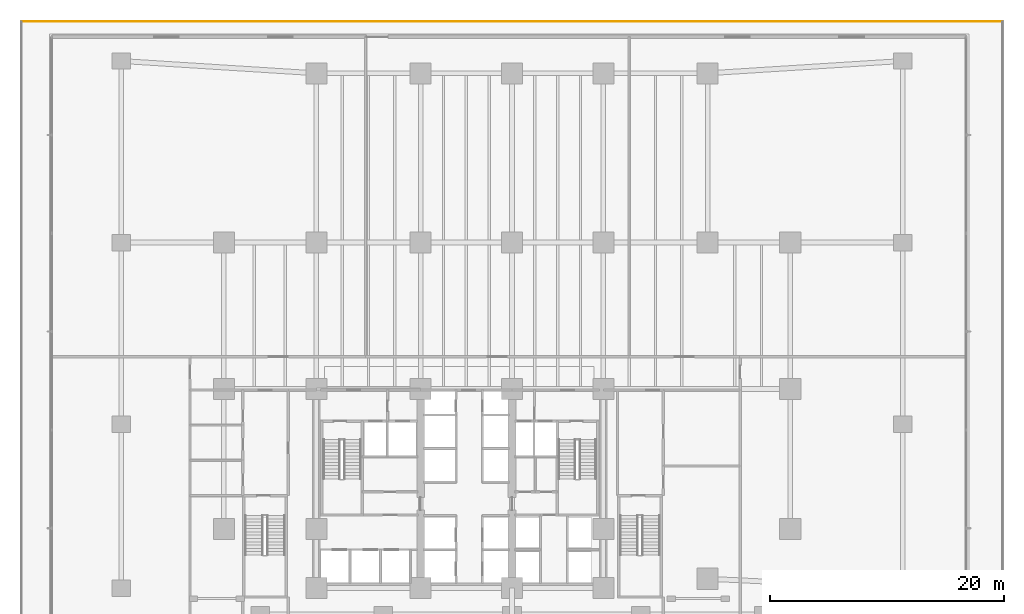
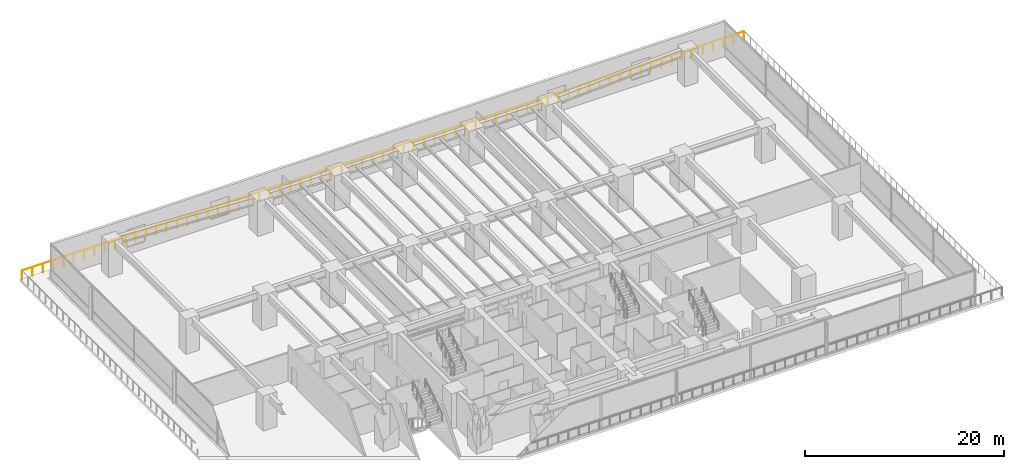
# One storey, part 24 of 27: 1 railing.
"""IFC4 building model written with IfcOpenShell, lengths in metres."""

from ifc_helpers import new_model, si_unit, direction, frame, origin, origin_2d, place, context, subcontext, project, spatial, circle, extrude, material, type_object, element, save


model = new_model("IFC4")

# Units and contexts
model_context = context("Model", 3, precision=1e-05, world=origin(), true_north=direction((0.0, 1.0)))
body_context = subcontext(model_context, "Body", "Model", "MODEL_VIEW")
ifc_project = project(units=[si_unit("LENGTHUNIT", "METRE"), si_unit("AREAUNIT", "SQUARE_METRE"), si_unit("VOLUMEUNIT", "CUBIC_METRE"), si_unit("PLANEANGLEUNIT", "RADIAN"), si_unit("MASSUNIT", "GRAM", prefix="KILO")], contexts=[model_context])

# Site, building, storey
site_placement = place(None, origin())
site = spatial("IfcSite", under=ifc_project, at=site_placement, CompositionType="ELEMENT")
building_placement = place(site_placement, origin())
building = spatial("IfcBuilding", under=site, at=building_placement, Name="Qalmaran Belvedere Hotel", CompositionType="ELEMENT")
storey_placement = place(building_placement, frame((0.0, 0.0, 5.39990234375)))
storey = spatial("IfcBuildingStorey", under=building, at=storey_placement, Name="L01", CompositionType="ELEMENT", Elevation=5.39990234375)

# Railing
ifc_material = material(Name="Anodised Bronze Aluminium", Category="aluminium")
railing_type = type_object("IfcRailingType", Name="GRD-TERR-1150", PredefinedType="BALUSTRADE", material=ifc_material)
railing_placement = place(storey_placement, frame((78.824951171875, 51.860107421875, 0.0)))
element("IfcRailing", 1, at=railing_placement, inside=storey, type_object=railing_type, Name="L01 Guardrail L01-TERR-3", PredefinedType="BALUSTRADE", context=body_context, shape_type="SweptSolid", body=[
    extrude(circle(Radius=0.02392578125, at=origin_2d()), frame((0.0, 0.0, 1.1259765625), z_axis=(-1.0, 0.0, 0.0), x_axis=(0.0, -1.0, 0.0)), (0.0, 0.0, 1.0), 83.64990234375),
    extrude(circle(Radius=0.02099609375, at=origin_2d()), origin(), (0.0, 0.0, 1.0), 1.101806640625),
    extrude(circle(Radius=0.02099609375, at=origin_2d()), frame((-1.195068359375, 0.0, 0.0)), (0.0, 0.0, 1.0), 1.101806640625),
    extrude(circle(Radius=0.02099609375, at=origin_2d()), frame((-2.389892578125, 0.0, 0.0)), (0.0, 0.0, 1.0), 1.101806640625),
    extrude(circle(Radius=0.02099609375, at=origin_2d()), frame((-3.5849609375, 0.0, 0.0)), (0.0, 0.0, 1.0), 1.101806640625),
    extrude(circle(Radius=0.02099609375, at=origin_2d()), frame((-4.780029296875, 0.0, 0.0)), (0.0, 0.0, 1.0), 1.101806640625),
    extrude(circle(Radius=0.02099609375, at=origin_2d()), frame((-5.97509765625, 0.0, 0.0)), (0.0, 0.0, 1.0), 1.101806640625),
    extrude(circle(Radius=0.02099609375, at=origin_2d()), frame((-7.169921875, 0.0, 0.0)), (0.0, 0.0, 1.0), 1.101806640625),
    extrude(circle(Radius=0.02099609375, at=origin_2d()), frame((-8.364990234375, 0.0, 0.0)), (0.0, 0.0, 1.0), 1.101806640625),
    extrude(circle(Radius=0.02099609375, at=origin_2d()), frame((-9.56005859375, 0.0, 0.0)), (0.0, 0.0, 1.0), 1.101806640625),
    extrude(circle(Radius=0.02099609375, at=origin_2d()), frame((-10.7548828125, 0.0, 0.0)), (0.0, 0.0, 1.0), 1.101806640625),
    extrude(circle(Radius=0.02099609375, at=origin_2d()), frame((-11.949951171875, 0.0, 0.0)), (0.0, 0.0, 1.0), 1.101806640625),
    extrude(circle(Radius=0.02099609375, at=origin_2d()), frame((-13.14501953125, 0.0, 0.0)), (0.0, 0.0, 1.0), 1.101806640625),
    extrude(circle(Radius=0.02099609375, at=origin_2d()), frame((-14.340087890625, 0.0, 0.0)), (0.0, 0.0, 1.0), 1.101806640625),
    extrude(circle(Radius=0.02099609375, at=origin_2d()), frame((-15.534912109375, 0.0, 0.0)), (0.0, 0.0, 1.0), 1.101806640625),
    extrude(circle(Radius=0.02099609375, at=origin_2d()), frame((-16.72998046875, 0.0, 0.0)), (0.0, 0.0, 1.0), 1.101806640625),
    extrude(circle(Radius=0.02099609375, at=origin_2d()), frame((-17.925048828125, 0.0, 0.0)), (0.0, 0.0, 1.0), 1.101806640625),
    extrude(circle(Radius=0.02099609375, at=origin_2d()), frame((-19.119873046875, 0.0, 0.0)), (0.0, 0.0, 1.0), 1.101806640625),
    extrude(circle(Radius=0.02099609375, at=origin_2d()), frame((-20.31494140625, 0.0, 0.0)), (0.0, 0.0, 1.0), 1.101806640625),
    extrude(circle(Radius=0.02099609375, at=origin_2d()), frame((-21.510009765625, 0.0, 0.0)), (0.0, 0.0, 1.0), 1.101806640625),
    extrude(circle(Radius=0.02099609375, at=origin_2d()), frame((-22.705078125, 0.0, 0.0)), (0.0, 0.0, 1.0), 1.101806640625),
    extrude(circle(Radius=0.02099609375, at=origin_2d()), frame((-23.89990234375, 0.0, 0.0)), (0.0, 0.0, 1.0), 1.101806640625),
    extrude(circle(Radius=0.02099609375, at=origin_2d()), frame((-25.094970703125, 0.0, 0.0)), (0.0, 0.0, 1.0), 1.101806640625),
    extrude(circle(Radius=0.02099609375, at=origin_2d()), frame((-26.2900390625, 0.0, 0.0)), (0.0, 0.0, 1.0), 1.101806640625),
    extrude(circle(Radius=0.02099609375, at=origin_2d()), frame((-27.48486328125, 0.0, 0.0)), (0.0, 0.0, 1.0), 1.101806640625),
    extrude(circle(Radius=0.02099609375, at=origin_2d()), frame((-28.679931640625, 0.0, 0.0)), (0.0, 0.0, 1.0), 1.101806640625),
    extrude(circle(Radius=0.02099609375, at=origin_2d()), frame((-29.875, 0.0, 0.0)), (0.0, 0.0, 1.0), 1.101806640625),
    extrude(circle(Radius=0.02099609375, at=origin_2d()), frame((-31.070068359375, 0.0, 0.0)), (0.0, 0.0, 1.0), 1.101806640625),
    extrude(circle(Radius=0.02099609375, at=origin_2d()), frame((-32.264892578125, 0.0, 0.0)), (0.0, 0.0, 1.0), 1.101806640625),
    extrude(circle(Radius=0.02099609375, at=origin_2d()), frame((-33.4599609375, 0.0, 0.0)), (0.0, 0.0, 1.0), 1.101806640625),
    extrude(circle(Radius=0.02099609375, at=origin_2d()), frame((-34.655029296875, 0.0, 0.0)), (0.0, 0.0, 1.0), 1.101806640625),
    extrude(circle(Radius=0.02099609375, at=origin_2d()), frame((-35.849853515625, 0.0, 0.0)), (0.0, 0.0, 1.0), 1.101806640625),
    extrude(circle(Radius=0.02099609375, at=origin_2d()), frame((-37.044921875, 0.0, 0.0)), (0.0, 0.0, 1.0), 1.101806640625),
    extrude(circle(Radius=0.02099609375, at=origin_2d()), frame((-38.239990234375, 0.0, 0.0)), (0.0, 0.0, 1.0), 1.101806640625),
    extrude(circle(Radius=0.02099609375, at=origin_2d()), frame((-39.43505859375, 0.0, 0.0)), (0.0, 0.0, 1.0), 1.101806640625),
    extrude(circle(Radius=0.02099609375, at=origin_2d()), frame((-40.6298828125, 0.0, 0.0)), (0.0, 0.0, 1.0), 1.101806640625),
    extrude(circle(Radius=0.02099609375, at=origin_2d()), frame((-41.824951171875, 0.0, 0.0)), (0.0, 0.0, 1.0), 1.101806640625),
    extrude(circle(Radius=0.02099609375, at=origin_2d()), frame((-43.02001953125, 0.0, 0.0)), (0.0, 0.0, 1.0), 1.101806640625),
    extrude(circle(Radius=0.02099609375, at=origin_2d()), frame((-44.21484375, 0.0, 0.0)), (0.0, 0.0, 1.0), 1.101806640625),
    extrude(circle(Radius=0.02099609375, at=origin_2d()), frame((-45.409912109375, 0.0, 0.0)), (0.0, 0.0, 1.0), 1.101806640625),
    extrude(circle(Radius=0.02099609375, at=origin_2d()), frame((-46.60498046875, 0.0, 0.0)), (0.0, 0.0, 1.0), 1.101806640625),
    extrude(circle(Radius=0.02099609375, at=origin_2d()), frame((-47.800048828125, 0.0, 0.0)), (0.0, 0.0, 1.0), 1.101806640625),
    extrude(circle(Radius=0.02099609375, at=origin_2d()), frame((-48.994873046875, 0.0, 0.0)), (0.0, 0.0, 1.0), 1.101806640625),
    extrude(circle(Radius=0.02099609375, at=origin_2d()), frame((-50.18994140625, 0.0, 0.0)), (0.0, 0.0, 1.0), 1.101806640625),
    extrude(circle(Radius=0.02099609375, at=origin_2d()), frame((-51.385009765625, 0.0, 0.0)), (0.0, 0.0, 1.0), 1.101806640625),
    extrude(circle(Radius=0.02099609375, at=origin_2d()), frame((-52.579833984375, 0.0, 0.0)), (0.0, 0.0, 1.0), 1.101806640625),
    extrude(circle(Radius=0.02099609375, at=origin_2d()), frame((-53.77490234375, 0.0, 0.0)), (0.0, 0.0, 1.0), 1.101806640625),
    extrude(circle(Radius=0.02099609375, at=origin_2d()), frame((-54.969970703125, 0.0, 0.0)), (0.0, 0.0, 1.0), 1.101806640625),
    extrude(circle(Radius=0.02099609375, at=origin_2d()), frame((-56.1650390625, 0.0, 0.0)), (0.0, 0.0, 1.0), 1.101806640625),
    extrude(circle(Radius=0.02099609375, at=origin_2d()), frame((-57.35986328125, 0.0, 0.0)), (0.0, 0.0, 1.0), 1.101806640625),
    extrude(circle(Radius=0.02099609375, at=origin_2d()), frame((-58.554931640625, 0.0, 0.0)), (0.0, 0.0, 1.0), 1.101806640625),
    extrude(circle(Radius=0.02099609375, at=origin_2d()), frame((-59.75, 0.0, 0.0)), (0.0, 0.0, 1.0), 1.101806640625),
    extrude(circle(Radius=0.02099609375, at=origin_2d()), frame((-60.94482421875, 0.0, 0.0)), (0.0, 0.0, 1.0), 1.101806640625),
    extrude(circle(Radius=0.02099609375, at=origin_2d()), frame((-62.139892578125, 0.0, 0.0)), (0.0, 0.0, 1.0), 1.101806640625),
    extrude(circle(Radius=0.02099609375, at=origin_2d()), frame((-63.3349609375, 0.0, 0.0)), (0.0, 0.0, 1.0), 1.101806640625),
    extrude(circle(Radius=0.02099609375, at=origin_2d()), frame((-64.530029296875, 0.0, 0.0)), (0.0, 0.0, 1.0), 1.101806640625),
    extrude(circle(Radius=0.02099609375, at=origin_2d()), frame((-65.724853515625, 0.0, 0.0)), (0.0, 0.0, 1.0), 1.101806640625),
    extrude(circle(Radius=0.02099609375, at=origin_2d()), frame((-66.919921875, 0.0, 0.0)), (0.0, 0.0, 1.0), 1.101806640625),
    extrude(circle(Radius=0.02099609375, at=origin_2d()), frame((-68.114990234375, 0.0, 0.0)), (0.0, 0.0, 1.0), 1.101806640625),
    extrude(circle(Radius=0.02099609375, at=origin_2d()), frame((-69.309814453125, 0.0, 0.0)), (0.0, 0.0, 1.0), 1.101806640625),
    extrude(circle(Radius=0.02099609375, at=origin_2d()), frame((-70.5048828125, 0.0, 0.0)), (0.0, 0.0, 1.0), 1.101806640625),
    extrude(circle(Radius=0.02099609375, at=origin_2d()), frame((-71.699951171875, 0.0, 0.0)), (0.0, 0.0, 1.0), 1.101806640625),
    extrude(circle(Radius=0.02099609375, at=origin_2d()), frame((-72.89501953125, 0.0, 0.0)), (0.0, 0.0, 1.0), 1.101806640625),
    extrude(circle(Radius=0.02099609375, at=origin_2d()), frame((-74.08984375, 0.0, 0.0)), (0.0, 0.0, 1.0), 1.101806640625),
    extrude(circle(Radius=0.02099609375, at=origin_2d()), frame((-75.284912109375, 0.0, 0.0)), (0.0, 0.0, 1.0), 1.101806640625),
    extrude(circle(Radius=0.02099609375, at=origin_2d()), frame((-76.47998046875, 0.0, 0.0)), (0.0, 0.0, 1.0), 1.101806640625),
    extrude(circle(Radius=0.02099609375, at=origin_2d()), frame((-77.6748046875, 0.0, 0.0)), (0.0, 0.0, 1.0), 1.101806640625),
    extrude(circle(Radius=0.02099609375, at=origin_2d()), frame((-78.869873046875, 0.0, 0.0)), (0.0, 0.0, 1.0), 1.101806640625),
    extrude(circle(Radius=0.02099609375, at=origin_2d()), frame((-80.06494140625, 0.0, 0.0)), (0.0, 0.0, 1.0), 1.101806640625),
    extrude(circle(Radius=0.02099609375, at=origin_2d()), frame((-81.260009765625, 0.0, 0.0)), (0.0, 0.0, 1.0), 1.101806640625),
    extrude(circle(Radius=0.02099609375, at=origin_2d()), frame((-82.454833984375, 0.0, 0.0)), (0.0, 0.0, 1.0), 1.101806640625),
    extrude(circle(Radius=0.02099609375, at=origin_2d()), frame((-83.64990234375, 0.0, 0.0)), (0.0, 0.0, 1.0), 1.101806640625),
])

save(model, "model.ifc")
